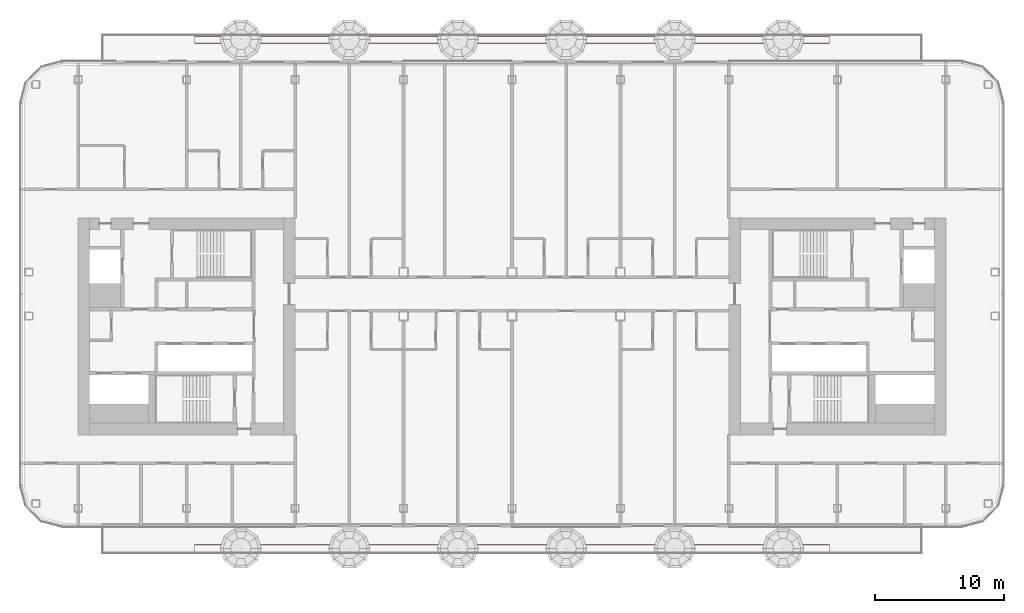
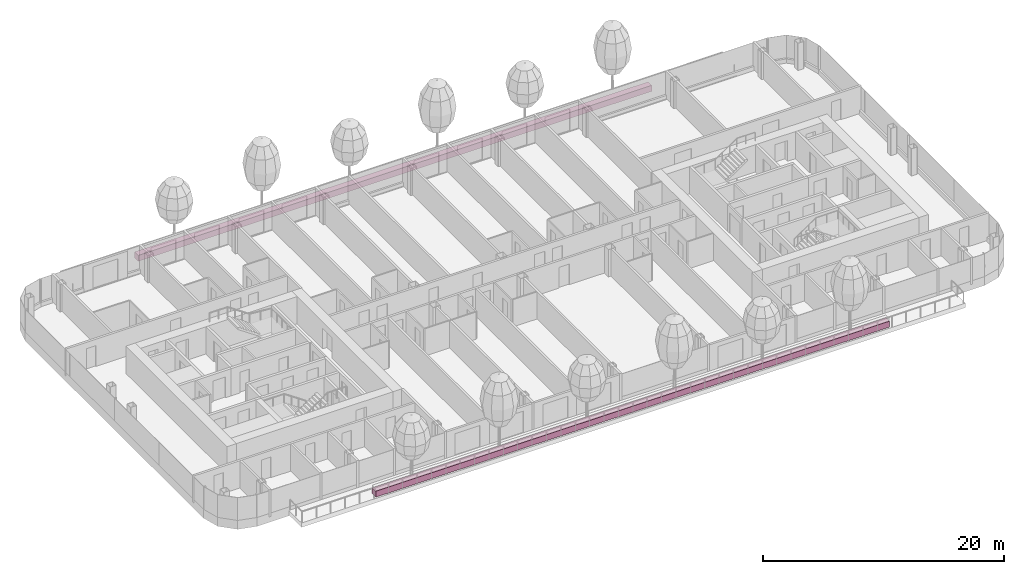
# One storey, part 26 of 29: 2 furniture elements.
"""IFC4 building model written with IfcOpenShell, lengths in metres."""

from ifc_helpers import new_model, si_unit, direction, frame, origin, origin_2d, place, context, subcontext, project, spatial, rectangle, extrude, material, type_object, element, save


model = new_model("IFC4")

# Units and contexts
model_context = context("Model", 3, precision=1e-05, world=origin(), true_north=direction((0.0, 1.0)))
body_context = subcontext(model_context, "Body", "Model", "MODEL_VIEW")
ifc_project = project(units=[si_unit("LENGTHUNIT", "METRE"), si_unit("AREAUNIT", "SQUARE_METRE"), si_unit("VOLUMEUNIT", "CUBIC_METRE"), si_unit("PLANEANGLEUNIT", "RADIAN"), si_unit("MASSUNIT", "GRAM", prefix="KILO")], contexts=[model_context])

# Site, building, storey
site_placement = place(None, origin())
site = spatial("IfcSite", under=ifc_project, at=site_placement, CompositionType="ELEMENT")
building_placement = place(site_placement, origin())
building = spatial("IfcBuilding", under=site, at=building_placement, Name="Hakoniwa Tower and Hamabe Station Hall", CompositionType="ELEMENT")
storey_placement = place(building_placement, frame((0.0, 0.0, 205.800048828125)))
storey = spatial("IfcBuildingStorey", under=building, at=storey_placement, Name="L58", CompositionType="ELEMENT", Elevation=205.800048828125)

# Furniture
ifc_material = material(Name="Aluminium 6063-T5 black anodised trough with lightweight soil", Category="aluminium")
furniture_type = type_object("IfcFurnitureType", Name="Planter 600x600", AssemblyPlace="SITE", PredefinedType="USERDEFINED", material=ifc_material)
for number, where, z_axis, x_axis, name in (
    (1, (0.0, 22.199951171875, 0.0), (0.0, 0.0, 1.0), (1.0, 0.0, 0.0), "Planter 600x600"),
    (2, (0.0, -17.199951171875, 0.0), (0.0, 0.0, 1.0), (1.0, 0.0, 0.0), "Planter 600x600"),
):
    element("IfcFurniture", number, at=place(storey_placement, frame(where, z_axis=z_axis, x_axis=x_axis)), inside=storey, type_object=furniture_type, Name=name, ObjectType="PLANTER", PredefinedType="USERDEFINED", context=body_context, shape_type="SweptSolid", body=[
        extrude(rectangle(XDim=49.199951171875, YDim=0.60009765625, at=origin_2d()), origin(), (0.0, 0.0, 1.0), 0.60009765625),
    ])

save(model, "model.ifc")
